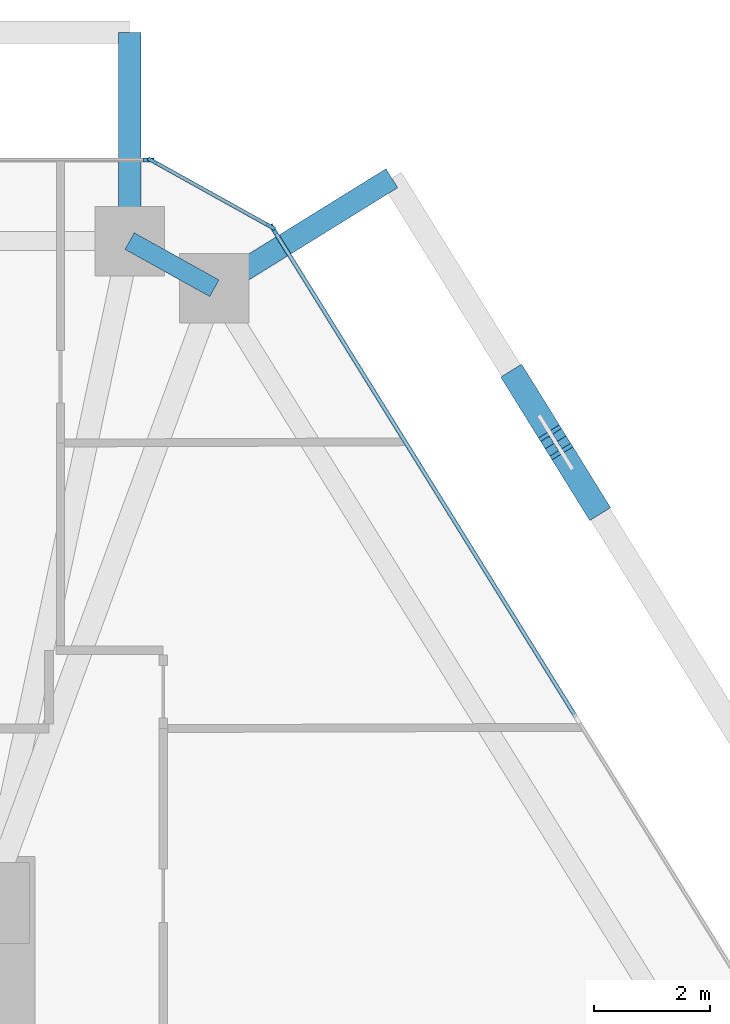
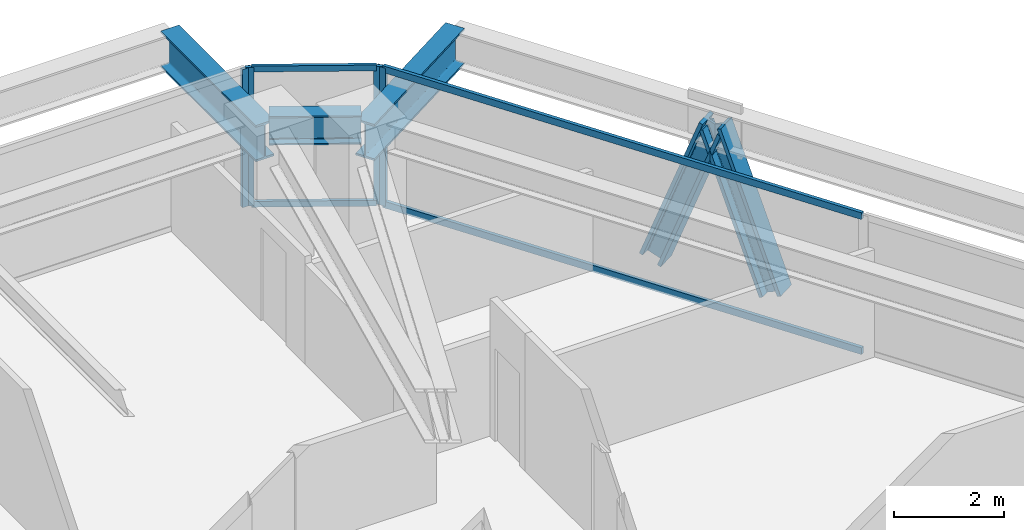
# One storey, part 8 of 16: 10 members, 3 beams, 3 elements without a shape of their own.
"""IFC4 building model written with IfcOpenShell, lengths in metres."""

from ifc_helpers import new_model, si_unit, direction, frame, origin, origin_2d, place, context, subcontext, project, spatial, rectangle, i_section, extrude, source, transform, mapped, material, layer, layer_set, material_profile, profile_set, type_object, type_shapes, element, aggregate, save


model = new_model("IFC4")

# Units and contexts
model_context = context("Model", 3, precision=1e-05, world=origin(), true_north=direction((0.0, 1.0)))
body_context = subcontext(model_context, "Body", "Model", "MODEL_VIEW")
ifc_project = project(units=[si_unit("LENGTHUNIT", "METRE"), si_unit("AREAUNIT", "SQUARE_METRE"), si_unit("VOLUMEUNIT", "CUBIC_METRE"), si_unit("PLANEANGLEUNIT", "RADIAN"), si_unit("MASSUNIT", "GRAM", prefix="KILO")], contexts=[model_context])

# Site, building, storey
site_placement = place(None, origin())
site = spatial("IfcSite", under=ifc_project, at=site_placement, CompositionType="ELEMENT")
building_placement = place(site_placement, origin())
building = spatial("IfcBuilding", under=site, at=building_placement, Name="Durnholm Broadcast Tower", CompositionType="ELEMENT")
storey_placement = place(building_placement, frame((0.0, 0.0, 110.699951171875)))
storey = spatial("IfcBuildingStorey", under=building, at=storey_placement, Name="L29", CompositionType="ELEMENT", Elevation=110.699951171875)

# Beams
ifc_material_1 = material(Name="Steel ASTM A992 Grade 50", Category="steel")
ifc_material_profile_1 = material_profile(ifc_material_1, i_section(OverallWidth=0.385009765625, OverallDepth=0.802978515625, WebThickness=0.023681640625, FlangeThickness=0.0419921875, FilletRadius=0.032958984375, at=origin_2d()), Name="W30X261")
ifc_profile_set_1 = profile_set([ifc_material_profile_1], Name="Steel ASTM A992 Grade 50")
beam_type_1 = type_object("IfcBeamType", Name="BM-EXO-TIE", PredefinedType="USERDEFINED", material=ifc_profile_set_1)
shared_shape_1 = source(origin(), body_context, "Body", "SweptSolid", [
    extrude(i_section(OverallWidth=0.385009765625, OverallDepth=0.802978515625, WebThickness=0.023681640625, FlangeThickness=0.0419921875, FilletRadius=0.032958984375, at=origin_2d()), origin(), (0.0, 0.0, 1.0), 3.4560546875),
])
beam_1_placement = place(storey_placement, frame((12.22998046875, 19.35888671875, 2.30859375), z_axis=(0.0, 1.0, 0.0), x_axis=(-1.0, 0.0, 0.0)))
element("IfcBeam", 1, at=beam_1_placement, inside=storey, type_object=beam_type_1, Name="L29 exoskeleton stand-off tie bracket F4.1", ObjectType="GIRDER", PredefinedType="USERDEFINED", context=body_context, shape_type="MappedRepresentation", body=[
    mapped(shared_shape_1, transform((0.0, 0.0, 0.0), x_axis=(1.0, 0.0, 0.0), y_axis=(0.0, 1.0, 0.0), z_axis=(0.0, 0.0, 1.0), scale=1.0)),
])
shared_shape_2 = source(origin(), body_context, "Body", "SweptSolid", [
    extrude(i_section(OverallWidth=0.385009765625, OverallDepth=0.802978515625, WebThickness=0.023681640625, FlangeThickness=0.0419921875, FilletRadius=0.032958984375, at=origin_2d()), origin(), (0.0, 0.0, 1.0), 3.455810546875),
])
type_shapes(beam_type_1, [shared_shape_1, shared_shape_2])
beam_2_placement = place(storey_placement, frame((13.814697265625, 18.477294921875, 2.30859375), z_axis=(0.849807128357, 0.527093772107, 0.0), x_axis=(-0.527093772107, 0.849807128357, 0.0)))
element("IfcBeam", 2, at=beam_2_placement, inside=storey, type_object=beam_type_1, Name="L29 exoskeleton stand-off tie bracket F3.2", ObjectType="GIRDER", PredefinedType="USERDEFINED", context=body_context, shape_type="MappedRepresentation", body=[
    mapped(shared_shape_2, transform((0.0, 0.0, 0.0), x_axis=(1.0, 0.0, 0.0), y_axis=(0.0, 1.0, 0.0), z_axis=(0.0, 0.0, 1.0), scale=1.0)),
])
ifc_material_profile_2 = material_profile(ifc_material_1, i_section(OverallWidth=0.3291015625, OverallDepth=0.635009765625, WebThickness=0.017822265625, FlangeThickness=0.031005859375, FilletRadius=0.02783203125, at=origin_2d()), Name="W24X162")
ifc_profile_set_2 = profile_set([ifc_material_profile_2], Name="Steel ASTM A992 Grade 50")
beam_type_2 = type_object("IfcBeamType", Name="STL-SP-W24X162", PredefinedType="SPANDREL", material=ifc_profile_set_2)
shared_shape_3 = source(origin(), body_context, "Body", "SweptSolid", [
    extrude(i_section(OverallWidth=0.3291015625, OverallDepth=0.635009765625, WebThickness=0.017822265625, FlangeThickness=0.031005859375, FilletRadius=0.02783203125, at=origin_2d()), origin(), (0.0, 0.0, 1.0), 1.67333984375),
])
type_shapes(beam_type_2, [shared_shape_3])
beam_3_placement = place(storey_placement, frame((12.22998046875, 19.215087890625, 2.7275390625), z_axis=(0.873799169188, -0.486286964586, 0.0), x_axis=(0.486286964586, 0.873799169188, 0.0)))
element("IfcBeam", 3, at=beam_3_placement, inside=storey, type_object=beam_type_2, Name="L29 perimeter spandrel girder 06", PredefinedType="SPANDREL", context=body_context, shape_type="MappedRepresentation", body=[
    mapped(shared_shape_3, transform((0.0, 0.0, 0.0), x_axis=(1.0, 0.0, 0.0), y_axis=(0.0, 1.0, 0.0), z_axis=(0.0, 0.0, 1.0), scale=1.0)),
])

# Members
ifc_material_2 = material(Name="Steel ASTM A913 Grade 65", Category="steel")
ifc_material_profile_3 = material_profile(ifc_material_2, i_section(OverallWidth=0.424072265625, OverallDepth=0.47412109375, WebThickness=0.047607421875, FlangeThickness=0.0771484375, FilletRadius=0.030517578125, at=origin_2d()), Name="W14X426")
ifc_profile_set_3 = profile_set([ifc_material_profile_3], Name="Steel ASTM A913 Grade 65")
member_type_1 = type_object("IfcMemberType", Name="STL-DG-W14X426", PredefinedType="BRACE", material=ifc_profile_set_3)
shared_shape_4 = source(origin(), body_context, "Body", "SweptSolid", [
    extrude(i_section(OverallWidth=0.424072265625, OverallDepth=0.47412109375, WebThickness=0.047607421875, FlangeThickness=0.0771484375, FilletRadius=0.030517578125, at=origin_2d()), origin(), (0.0, 0.0, 1.0), 3.523193359375),
])
member_1_placement = place(storey_placement, frame((18.92578125, 16.793212890625, -0.991455078125), z_axis=(0.184669768468, -0.297619758188, 0.936653381006), x_axis=(0.849716575602, 0.52723973783, 0.0)))
element("IfcMember", 4, at=member_1_placement, inside=storey, type_object=member_type_1, Name="L29 stand-off diagrid brace F3.D2.2", PredefinedType="BRACE", context=body_context, shape_type="MappedRepresentation", body=[
    mapped(shared_shape_4, transform((0.0, 0.0, 0.0), x_axis=(1.0, 0.0, 0.0), y_axis=(0.0, 1.0, 0.0), z_axis=(0.0, 0.0, 1.0), scale=1.0)),
])
shared_shape_5 = source(origin(), body_context, "Body", "SweptSolid", [
    extrude(i_section(OverallWidth=0.424072265625, OverallDepth=0.47412109375, WebThickness=0.047607421875, FlangeThickness=0.0771484375, FilletRadius=0.030517578125, at=origin_2d()), origin(), (0.0, 0.0, 1.0), 3.52294921875),
])
type_shapes(member_type_1, [shared_shape_4, shared_shape_5])
member_2_placement = place(storey_placement, frame((20.2265625, 14.6962890625, -0.991455078125), z_axis=(-0.184539706302, 0.297564212865, 0.936696661689), x_axis=(-0.849838868368, -0.527042595823, 0.0)))
element("IfcMember", 5, at=member_2_placement, inside=storey, type_object=member_type_1, Name="L29 stand-off diagrid brace F3.D2.1", PredefinedType="BRACE", context=body_context, shape_type="MappedRepresentation", body=[
    mapped(shared_shape_5, transform((0.0, 0.0, 0.0), x_axis=(1.0, 0.0, 0.0), y_axis=(0.0, 1.0, 0.0), z_axis=(0.0, 0.0, 1.0), scale=1.0)),
])

# Curtain wall, members
ifc_material_3 = material(Name="Aluminium and Solar Control IGU", Category="aluminium")
ifc_layer_1 = layer(ifc_material_3, 0.1650390625)
ifc_layer_set_1 = layer_set([ifc_layer_1], Name="Aluminium and Solar Control IGU")
curtain_wall_type_1 = type_object("IfcCurtainWallType", Name="CW-SYS-5", PredefinedType="NOTDEFINED", material=ifc_layer_set_1)
curtain_wall_1_placement = place(storey_placement, origin())
curtain_wall_1 = element("IfcCurtainWall", 6, at=curtain_wall_1_placement, inside=storey, type_object=curtain_wall_type_1, Name="L29 curtain wall CW-CORNER CW-L29-CRN-05", PredefinedType="NOTDEFINED")
ifc_material_4 = material(Name="Aluminium 6063-T6", Category="aluminium")
ifc_material_profile_4 = material_profile(ifc_material_4, rectangle(XDim=0.06494140625, YDim=0.1650390625, at=origin_2d()), Name="CWM65X165")
ifc_profile_set_4 = profile_set([ifc_material_profile_4], Name="Aluminium 6063-T6")
member_type_2 = type_object("IfcMemberType", Name="CW-SYS-5-MUL", PredefinedType="MULLION", material=ifc_profile_set_4)
shared_shape_6 = source(origin(), body_context, "Body", "SweptSolid", [
    extrude(rectangle(XDim=0.06494140625, YDim=0.1650390625, at=origin_2d()), origin(), (0.0, 0.0, 1.0), 3.06005859375),
])
type_shapes(member_type_2, [shared_shape_6])
member_3_placement = place(storey_placement, frame((12.62158203125, 20.59912109375, 0.0), z_axis=(0.0, 0.0, 1.0), x_axis=(0.486244224192, 0.873822953715, 0.0)))
member_3 = element("IfcMember", 7, at=member_3_placement, type_object=member_type_2, Name="CW-CORNER mullion 1", PredefinedType="MULLION", context=body_context, shape_type="MappedRepresentation", body=[
    mapped(shared_shape_6, transform((0.0, 0.0, 0.0), x_axis=(1.0, 0.0, 0.0), y_axis=(0.0, 1.0, 0.0), z_axis=(0.0, 0.0, 1.0), scale=1.0)),
])
member_4_placement = place(storey_placement, frame((14.662109375, 19.4638671875, 0.0), z_axis=(0.0, 0.0, 1.0), x_axis=(0.486244224192, 0.873822953715, 0.0)))
member_4 = element("IfcMember", 8, at=member_4_placement, type_object=member_type_2, Name="CW-CORNER mullion 2", PredefinedType="MULLION", context=body_context, shape_type="MappedRepresentation", body=[
    mapped(shared_shape_6, transform((0.0, 0.0, 0.0), x_axis=(1.0, 0.0, 0.0), y_axis=(0.0, 1.0, 0.0), z_axis=(0.0, 0.0, 1.0), scale=1.0)),
])

# Curtain wall, member
ifc_layer_2 = layer(ifc_material_3, 0.18994140625)
ifc_layer_set_2 = layer_set([ifc_layer_2], Name="Aluminium and Solar Control IGU")
curtain_wall_type_2 = type_object("IfcCurtainWallType", Name="CW-SYS-3", PredefinedType="NOTDEFINED", material=ifc_layer_set_2)
curtain_wall_2_placement = place(storey_placement, origin())
curtain_wall_2 = element("IfcCurtainWall", 9, at=curtain_wall_2_placement, inside=storey, type_object=curtain_wall_type_2, Name="L29 curtain wall CW-Z12-VIS CW-L29-F04", PredefinedType="NOTDEFINED")
ifc_material_profile_5 = material_profile(ifc_material_4, rectangle(XDim=0.070068359375, YDim=0.18994140625, at=origin_2d()), Name="CWM70X190")
ifc_profile_set_5 = profile_set([ifc_material_profile_5], Name="Aluminium 6063-T6")
member_type_3 = type_object("IfcMemberType", Name="CW-SYS-3-MUL", PredefinedType="MULLION", material=ifc_profile_set_5)
shared_shape_7 = source(origin(), body_context, "Body", "SweptSolid", [
    extrude(rectangle(XDim=0.070068359375, YDim=0.18994140625, at=origin_2d()), origin(), (0.0, 0.0, 1.0), 3.06005859375),
])
type_shapes(member_type_3, [shared_shape_7])
member_5_placement = place(storey_placement, frame((12.55810546875, 20.614990234375, 0.0), z_axis=(0.0, 0.0, 1.0), x_axis=(0.0, 1.0, 0.0)))
member_5 = element("IfcMember", 10, at=member_5_placement, type_object=member_type_3, Name="CW-Z12-VIS mullion 3", PredefinedType="MULLION", context=body_context, shape_type="MappedRepresentation", body=[
    mapped(shared_shape_7, transform((0.0, 0.0, 0.0), x_axis=(1.0, 0.0, 0.0), y_axis=(0.0, 1.0, 0.0), z_axis=(0.0, 0.0, 1.0), scale=1.0)),
])
aggregate(curtain_wall_2, [member_5])

curtain_wall_3_placement = place(storey_placement, origin())
curtain_wall_3 = element("IfcCurtainWall", 11, at=curtain_wall_3_placement, inside=storey, type_object=curtain_wall_type_2, Name="L29 curtain wall CW-Z12-VIS CW-L29-F06", PredefinedType="NOTDEFINED")
member_6_placement = place(storey_placement, frame((14.708740234375, 19.418212890625, 0.0), z_axis=(0.0, 0.0, 1.0), x_axis=(0.849799925229, 0.527105385176, 0.0)))
member_6 = element("IfcMember", 12, at=member_6_placement, type_object=member_type_3, Name="CW-Z12-VIS mullion 1", PredefinedType="MULLION", context=body_context, shape_type="MappedRepresentation", body=[
    mapped(shared_shape_7, transform((0.0, 0.0, 0.0), x_axis=(1.0, 0.0, 0.0), y_axis=(0.0, 1.0, 0.0), z_axis=(0.0, 0.0, 1.0), scale=1.0)),
])

# Member
ifc_material_profile_6 = material_profile(ifc_material_4, rectangle(XDim=0.06494140625, YDim=0.1298828125, at=origin_2d()), Name="CWT65X130")
ifc_profile_set_6 = profile_set([ifc_material_profile_6], Name="Aluminium 6063-T6")
member_type_4 = type_object("IfcMemberType", Name="CW-SYS-5-TRN", PredefinedType="USERDEFINED", material=ifc_profile_set_6)
shared_shape_8 = source(origin(), body_context, "Body", "SweptSolid", [
    extrude(rectangle(XDim=0.06494140625, YDim=0.1298828125, at=origin_2d()), origin(), (0.0, 0.0, 1.0), 2.270263671875),
])
type_shapes(member_type_4, [shared_shape_8])
member_7_placement = place(storey_placement, frame((12.64990234375, 20.58349609375, 0.032470703125), z_axis=(0.873786708897, -0.486309353555, 0.0), x_axis=(0.486309353555, 0.873786708897, 0.0)))
member_7 = element("IfcMember", 13, at=member_7_placement, type_object=member_type_4, Name="CW-CORNER transom 1.1", ObjectType="TRANSOM", PredefinedType="USERDEFINED", context=body_context, shape_type="MappedRepresentation", body=[
    mapped(shared_shape_8, transform((0.0, 0.0, 0.0), x_axis=(1.0, 0.0, 0.0), y_axis=(0.0, 1.0, 0.0), z_axis=(0.0, 0.0, 1.0), scale=1.0)),
])

member_8_placement = place(storey_placement, frame((12.64990234375, 20.58349609375, 3.027587890625), z_axis=(0.873786708897, -0.486309353555, 0.0), x_axis=(0.486309353555, 0.873786708897, 0.0)))
member_8 = element("IfcMember", 14, at=member_8_placement, type_object=member_type_4, Name="CW-CORNER transom 1.2", ObjectType="TRANSOM", PredefinedType="USERDEFINED", context=body_context, shape_type="MappedRepresentation", body=[
    mapped(shared_shape_8, transform((0.0, 0.0, 0.0), x_axis=(1.0, 0.0, 0.0), y_axis=(0.0, 1.0, 0.0), z_axis=(0.0, 0.0, 1.0), scale=1.0)),
])

aggregate(curtain_wall_1, [member_3, member_4, member_7, member_8])

ifc_material_profile_7 = material_profile(ifc_material_4, rectangle(XDim=0.070068359375, YDim=0.14990234375, at=origin_2d()), Name="CWT70X150")
ifc_profile_set_7 = profile_set([ifc_material_profile_7], Name="Aluminium 6063-T6")
member_type_5 = type_object("IfcMemberType", Name="CW-SYS-3-TRN", PredefinedType="USERDEFINED", material=ifc_profile_set_7)
shared_shape_9 = source(origin(), body_context, "Body", "SweptSolid", [
    extrude(rectangle(XDim=0.070068359375, YDim=0.14990234375, at=origin_2d()), origin(), (0.0, 0.0, 1.0), 9.858642578125),
])
type_shapes(member_type_5, [shared_shape_9])
member_9_placement = place(storey_placement, frame((14.727294921875, 19.388427734375, 0.03515625), z_axis=(0.527102081419, -0.849801974441, 0.0), x_axis=(0.849801974441, 0.527102081419, 0.0)))
member_9 = element("IfcMember", 15, at=member_9_placement, type_object=member_type_5, Name="CW-Z12-VIS transom 1.1", ObjectType="TRANSOM", PredefinedType="USERDEFINED", context=body_context, shape_type="MappedRepresentation", body=[
    mapped(shared_shape_9, transform((0.0, 0.0, 0.0), x_axis=(1.0, 0.0, 0.0), y_axis=(0.0, 1.0, 0.0), z_axis=(0.0, 0.0, 1.0), scale=1.0)),
])

member_10_placement = place(storey_placement, frame((14.727294921875, 19.388427734375, 3.025146484375), z_axis=(0.527102081419, -0.849801974441, 0.0), x_axis=(0.849801974441, 0.527102081419, 0.0)))
member_10 = element("IfcMember", 16, at=member_10_placement, type_object=member_type_5, Name="CW-Z12-VIS transom 1.2", ObjectType="TRANSOM", PredefinedType="USERDEFINED", context=body_context, shape_type="MappedRepresentation", body=[
    mapped(shared_shape_9, transform((0.0, 0.0, 0.0), x_axis=(1.0, 0.0, 0.0), y_axis=(0.0, 1.0, 0.0), z_axis=(0.0, 0.0, 1.0), scale=1.0)),
])

aggregate(curtain_wall_3, [member_6, member_9, member_10])

save(model, "model.ifc")
